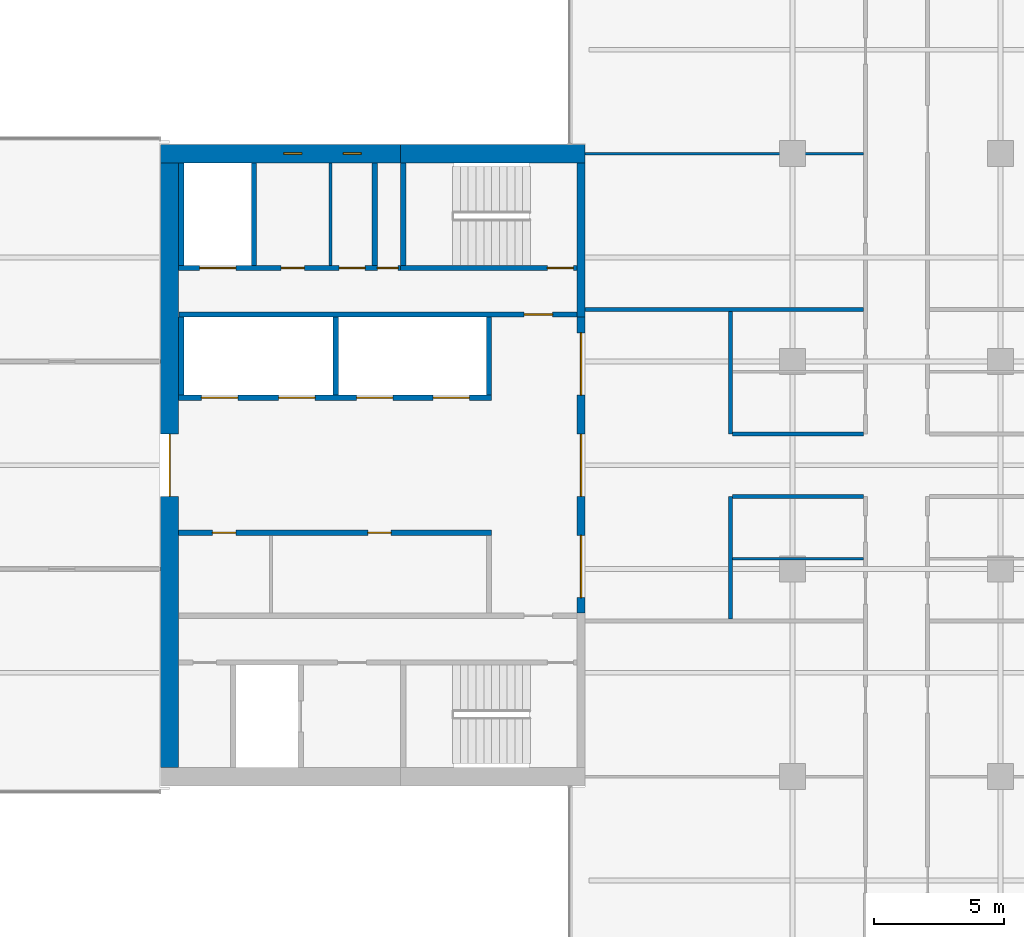
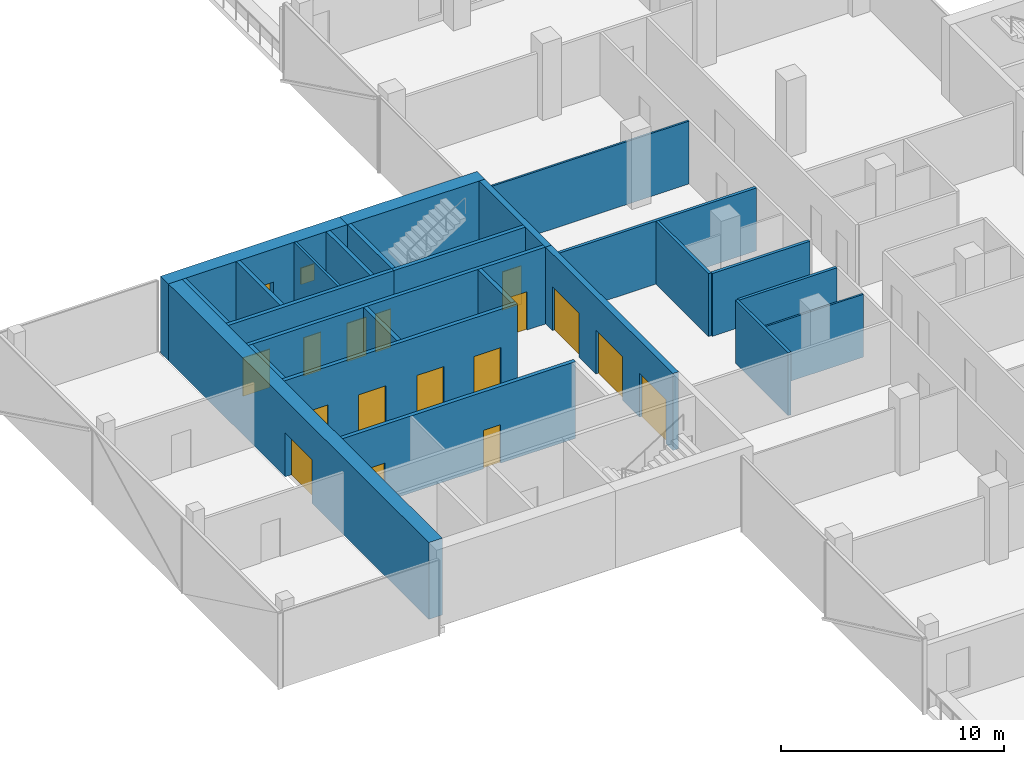
# One storey, part 17 of 24: 25 walls, 16 doors, 2 windows, 18 openings.
"""IFC4 building model written with IfcOpenShell, lengths in metres."""

from ifc_helpers import new_model, si_unit, direction, frame, frame_2d, origin, place, context, subcontext, project, spatial, rectangle, extrude, material, layer, layer_set, constituent, constituent_set, type_object, element, fill, save


model = new_model("IFC4")

# Units and contexts
model_context = context("Model", 3, precision=1e-05, world=origin(), true_north=direction((0.0, 1.0)))
body_context = subcontext(model_context, "Body", "Model", "MODEL_VIEW")
ifc_project = project(units=[si_unit("LENGTHUNIT", "METRE"), si_unit("AREAUNIT", "SQUARE_METRE"), si_unit("VOLUMEUNIT", "CUBIC_METRE"), si_unit("PLANEANGLEUNIT", "RADIAN"), si_unit("MASSUNIT", "GRAM", prefix="KILO")], contexts=[model_context])

# Site, building, storey
site_placement = place(None, origin())
site = spatial("IfcSite", under=ifc_project, at=site_placement, CompositionType="ELEMENT")
building_placement = place(site_placement, origin())
building = spatial("IfcBuilding", under=site, at=building_placement, Name="Crosswind Convention Tower", CompositionType="ELEMENT")
storey_placement = place(building_placement, frame((0.0, 0.0, 112.699951171875)))
storey = spatial("IfcBuildingStorey", under=building, at=storey_placement, Name="L22", CompositionType="ELEMENT", Elevation=112.699951171875)

# Wall
ifc_material_1 = material(Name="Concrete blockwork", Category="masonry")
ifc_layer_1 = layer(ifc_material_1, 0.199951171875)
ifc_layer_set_1 = layer_set([ifc_layer_1], Name="Blockwork partition wall 200")
wall_type_1 = type_object("IfcWallType", Name="Blockwork partition wall 200", PredefinedType="PARTITIONING", material=ifc_layer_set_1)
wall_1_placement = place(storey_placement, frame((104.89990234375, 111.64990234375, 0.0), z_axis=(0.0, 0.0, 1.0), x_axis=(0.0, -1.0, 0.0)))
element("IfcWall", 1, at=wall_1_placement, inside=storey, type_object=wall_type_1, Name="Wall MRSE W L22", PredefinedType="PARTITIONING", context=body_context, shape_type="SweptSolid", body=[
    extrude(rectangle(XDim=3.949951171875, YDim=0.199951171875, at=frame_2d((1.97509765625, 0.0))), origin(), (0.0, 0.0, 1.0), 4.199951171875),
])

# Wall, opening, door
ifc_material_2 = material(Name="Concrete C60/75", Category="concrete")
ifc_layer_2 = layer(ifc_material_2, 0.699951171875)
ifc_layer_set_2 = layer_set([ifc_layer_2], Name="Concrete C60/75")
wall_type_2 = type_object("IfcWallType", Name="Concrete core wall 700", PredefinedType="SHEAR", material=ifc_layer_set_2)
wall_2_placement = place(storey_placement, frame((97.0, 111.64990234375, 0.0), z_axis=(0.0, 0.0, 1.0), x_axis=(0.0, -1.0, 0.0)))
wall_2 = element("IfcWall", 2, at=wall_2_placement, inside=storey, type_object=wall_type_2, Name="Wall O W L22", PredefinedType="SHEAR", context=body_context, shape_type="SweptSolid", body=[
    extrude(rectangle(XDim=23.2998046875, YDim=0.699951171875, at=frame_2d((11.64990234375, 0.0))), origin(), (0.0, 0.0, 1.0), 4.199951171875),
])
opening_1_placement = place(wall_2_placement, frame((10.449951171875, 0.0, 0.0)))
opening_1 = element("IfcOpeningElement", 3, at=opening_1_placement, cuts=wall_2, Name="Opening D100", PredefinedType="OPENING", context=body_context, shape_type="SweptSolid", body=[
    extrude(rectangle(XDim=2.39990234375, YDim=2.39990234375, at=frame_2d((1.199951171875, 1.199951171875))), frame((0.0, 0.35986328125, 0.0), z_axis=(0.0, -1.0, 0.0), x_axis=(1.0, 0.0, 0.0)), (0.0, 0.0, 1.0), 0.719970703125),
])
ifc_material_3 = material(Name="Steel fire door with glazed vision panels", Category="steel")
door_type_1 = type_object("IfcDoorType", Name="Fire-rated double door 2400x2400", OperationType="DOUBLE_DOOR_SINGLE_SWING", PredefinedType="DOOR", material=ifc_material_3)
door_1_placement = place(opening_1_placement, origin())
door_1 = element("IfcDoor", 4, at=door_1_placement, inside=storey, type_object=door_type_1, Name="Lobby outer door L22", ObjectType="D100", OperationType="DOUBLE_DOOR_SINGLE_SWING", OverallHeight=2.39990234375, OverallWidth=2.39990234375, PredefinedType="DOOR", context=body_context, shape_type="SweptSolid", body=[
    extrude(rectangle(XDim=2.39990234375, YDim=2.39990234375, at=frame_2d((1.199951171875, 1.199951171875))), frame((0.0, 0.02490234375, 0.0), z_axis=(0.0, -1.0, 0.0), x_axis=(1.0, 0.0, 0.0)), (0.0, 0.0, 1.0), 0.050048828125),
])
fill(opening_1, door_1)

# Wall, openings, doors
ifc_material_4 = material(Name="Concrete C50/60", Category="concrete")
ifc_layer_3 = layer(ifc_material_4, 0.300048828125)
ifc_layer_set_3 = layer_set([ifc_layer_3], Name="Concrete C50/60")
wall_type_3 = type_object("IfcWallType", Name="Concrete inner core wall 300", PredefinedType="SHEAR", material=ifc_layer_set_3)
wall_3_placement = place(storey_placement, frame((112.85009765625, 105.699951171875, 0.0), z_axis=(0.0, 0.0, 1.0), x_axis=(0.0, -1.0, 0.0)))
wall_3 = element("IfcWall", 5, at=wall_3_placement, inside=storey, type_object=wall_type_3, Name="Wall SCR W L22", PredefinedType="SHEAR", context=body_context, shape_type="SweptSolid", body=[
    extrude(rectangle(XDim=11.39990234375, YDim=0.300048828125, at=frame_2d((5.699951171875, 0.0))), origin(), (0.0, 0.0, 1.0), 4.199951171875),
])
opening_2_placement = place(wall_3_placement, frame((0.60009765625, 0.0, 0.0)))
opening_2 = element("IfcOpeningElement", 6, at=opening_2_placement, cuts=wall_3, Name="Opening D100", PredefinedType="OPENING", context=body_context, shape_type="SweptSolid", body=[
    extrude(rectangle(XDim=2.39990234375, YDim=2.39990234375, at=frame_2d((1.199951171875, 1.199951171875))), frame((0.0, 0.159912109375, 0.0), z_axis=(0.0, -1.0, 0.0), x_axis=(1.0, 0.0, 0.0)), (0.0, 0.0, 1.0), 0.320068359375),
])
opening_3_placement = place(wall_3_placement, frame((4.5, 0.0, 0.0)))
opening_3 = element("IfcOpeningElement", 7, at=opening_3_placement, cuts=wall_3, Name="Opening D100", PredefinedType="OPENING", context=body_context, shape_type="SweptSolid", body=[
    extrude(rectangle(XDim=2.39990234375, YDim=2.39990234375, at=frame_2d((1.199951171875, 1.199951171875))), frame((0.0, 0.159912109375, 0.0), z_axis=(0.0, -1.0, 0.0), x_axis=(1.0, 0.0, 0.0)), (0.0, 0.0, 1.0), 0.320068359375),
])
opening_4_placement = place(wall_3_placement, frame((8.39990234375, 0.0, 0.0)))
opening_4 = element("IfcOpeningElement", 8, at=opening_4_placement, cuts=wall_3, Name="Opening D100", PredefinedType="OPENING", context=body_context, shape_type="SweptSolid", body=[
    extrude(rectangle(XDim=2.39990234375, YDim=2.39990234375, at=frame_2d((1.199951171875, 1.199951171875))), frame((0.0, 0.159912109375, 0.0), z_axis=(0.0, -1.0, 0.0), x_axis=(1.0, 0.0, 0.0)), (0.0, 0.0, 1.0), 0.320068359375),
])
door_2_placement = place(opening_2_placement, origin())
door_2 = element("IfcDoor", 9, at=door_2_placement, inside=storey, type_object=door_type_1, Name="Lobby door 1 L22", ObjectType="D100", OperationType="DOUBLE_DOOR_SINGLE_SWING", OverallHeight=2.39990234375, OverallWidth=2.39990234375, PredefinedType="DOOR", context=body_context, shape_type="SweptSolid", body=[
    extrude(rectangle(XDim=2.39990234375, YDim=2.39990234375, at=frame_2d((1.199951171875, 1.199951171875))), frame((0.0, 0.02490234375, 0.0), z_axis=(0.0, -1.0, 0.0), x_axis=(1.0, 0.0, 0.0)), (0.0, 0.0, 1.0), 0.050048828125),
])
fill(opening_2, door_2)
door_3_placement = place(opening_3_placement, origin())
door_3 = element("IfcDoor", 10, at=door_3_placement, inside=storey, type_object=door_type_1, Name="Lobby door 2 L22", ObjectType="D100", OperationType="DOUBLE_DOOR_SINGLE_SWING", OverallHeight=2.39990234375, OverallWidth=2.39990234375, PredefinedType="DOOR", context=body_context, shape_type="SweptSolid", body=[
    extrude(rectangle(XDim=2.39990234375, YDim=2.39990234375, at=frame_2d((1.199951171875, 1.199951171875))), frame((0.0, 0.02490234375, 0.0), z_axis=(0.0, -1.0, 0.0), x_axis=(1.0, 0.0, 0.0)), (0.0, 0.0, 1.0), 0.050048828125),
])
fill(opening_3, door_3)
door_4_placement = place(opening_4_placement, origin())
door_4 = element("IfcDoor", 11, at=door_4_placement, inside=storey, type_object=door_type_1, Name="Lobby door 3 L22", ObjectType="D100", OperationType="DOUBLE_DOOR_SINGLE_SWING", OverallHeight=2.39990234375, OverallWidth=2.39990234375, PredefinedType="DOOR", context=body_context, shape_type="SweptSolid", body=[
    extrude(rectangle(XDim=2.39990234375, YDim=2.39990234375, at=frame_2d((1.199951171875, 1.199951171875))), frame((0.0, 0.02490234375, 0.0), z_axis=(0.0, -1.0, 0.0), x_axis=(1.0, 0.0, 0.0)), (0.0, 0.0, 1.0), 0.050048828125),
])
fill(opening_4, door_4)

# Wall
wall_4_placement = place(storey_placement, frame((112.85009765625, 111.64990234375, 0.0), z_axis=(0.0, 0.0, 1.0), x_axis=(0.0, -1.0, 0.0)))
element("IfcWall", 12, at=wall_4_placement, inside=storey, type_object=wall_type_3, Name="Wall EM W L22", PredefinedType="SHEAR", context=body_context, shape_type="SweptSolid", body=[
    extrude(rectangle(XDim=5.949951171875, YDim=0.300048828125, at=frame_2d((2.97509765625, 0.0))), origin(), (0.0, 0.0, 1.0), 4.199951171875),
])

# Wall, openings, doors
ifc_layer_4 = layer(ifc_material_4, 0.199951171875)
ifc_layer_set_4 = layer_set([ifc_layer_4], Name="Concrete C50/60")
wall_type_4 = type_object("IfcWallType", Name="Concrete shaft and stair wall 200", PredefinedType="SHEAR", material=ifc_layer_set_4)
wall_5_placement = place(storey_placement, frame((109.39990234375, 97.39990234375, 0.0), z_axis=(0.0, 0.0, 1.0), x_axis=(-1.0, 0.0, 0.0)))
wall_5 = element("IfcWall", 13, at=wall_5_placement, inside=storey, type_object=wall_type_4, Name="Wall RPFRONT W L22", PredefinedType="SHEAR", context=body_context, shape_type="SweptSolid", body=[
    extrude(rectangle(XDim=12.0498046875, YDim=0.199951171875, at=frame_2d((6.02490234375, 0.0))), origin(), (0.0, 0.0, 1.0), 4.199951171875),
])
opening_5_placement = place(wall_5_placement, frame((3.8662109375, 0.0, 0.0)))
opening_5 = element("IfcOpeningElement", 14, at=opening_5_placement, cuts=wall_5, Name="Opening D106", PredefinedType="OPENING", context=body_context, shape_type="SweptSolid", body=[
    extrude(rectangle(XDim=0.89990234375, YDim=2.10009765625, at=frame_2d((0.449951171875, 1.050048828125))), frame((0.0, 0.10986328125, 0.0), z_axis=(0.0, -1.0, 0.0), x_axis=(1.0, 0.0, 0.0)), (0.0, 0.0, 1.0), 0.219970703125),
])
opening_6_placement = place(wall_5_placement, frame((9.853759765625, 0.0, 0.0)))
opening_6 = element("IfcOpeningElement", 15, at=opening_6_placement, cuts=wall_5, Name="Opening D106", PredefinedType="OPENING", context=body_context, shape_type="SweptSolid", body=[
    extrude(rectangle(XDim=0.89990234375, YDim=2.10009765625, at=frame_2d((0.449951171875, 1.050048828125))), frame((0.0, 0.10986328125, 0.0), z_axis=(0.0, -1.0, 0.0), x_axis=(1.0, 0.0, 0.0)), (0.0, 0.0, 1.0), 0.219970703125),
])
ifc_material_5 = material(Name="Timber door", Category="wood")
door_type_2 = type_object("IfcDoorType", Name="Single leaf door 900x2100", OperationType="NOTDEFINED", PredefinedType="DOOR", material=ifc_material_5)
door_5_placement = place(opening_5_placement, origin())
door_5 = element("IfcDoor", 16, at=door_5_placement, inside=storey, type_object=door_type_2, Name="Door to meeting room L22", ObjectType="D106", OperationType="SINGLE_SWING_RIGHT", OverallHeight=2.10009765625, OverallWidth=0.89990234375, PredefinedType="DOOR", context=body_context, shape_type="SweptSolid", body=[
    extrude(rectangle(XDim=0.89990234375, YDim=2.10009765625, at=frame_2d((0.449951171875, 1.050048828125))), frame((0.0, 0.02490234375, 0.0), z_axis=(0.0, -1.0, 0.0), x_axis=(1.0, 0.0, 0.0)), (0.0, 0.0, 1.0), 0.050048828125),
])
fill(opening_5, door_5)
door_6_placement = place(opening_6_placement, origin())
door_6 = element("IfcDoor", 17, at=door_6_placement, inside=storey, type_object=door_type_2, Name="Door to pantry L22", ObjectType="D106", OperationType="SINGLE_SWING_RIGHT", OverallHeight=2.10009765625, OverallWidth=0.89990234375, PredefinedType="DOOR", context=body_context, shape_type="SweptSolid", body=[
    extrude(rectangle(XDim=0.89990234375, YDim=2.10009765625, at=frame_2d((0.449951171875, 1.050048828125))), frame((0.0, 0.02490234375, 0.0), z_axis=(0.0, -1.0, 0.0), x_axis=(1.0, 0.0, 0.0)), (0.0, 0.0, 1.0), 0.050048828125),
])
fill(opening_6, door_6)

# Walls
for number, where, z_axis, x_axis, name in (
    (18, (109.300048828125, 105.699951171875, 0.0), (0.0, 0.0, 1.0), (0.0, -1.0, 0.0), "Wall RMEND W L22"),
    (19, (103.39990234375, 105.699951171875, 0.0), (0.0, 0.0, 1.0), (0.0, -1.0, 0.0), "Wall RMSEP W L22"),
    (20, (97.449951171875, 105.699951171875, 0.0), (0.0, 0.0, 1.0), (0.0, -1.0, 0.0), "Wall RMEAST W L22"),
):
    element("IfcWall", number, at=place(storey_placement, frame(where, z_axis=z_axis, x_axis=x_axis)), inside=storey, type_object=wall_type_4, Name=name, PredefinedType="SHEAR", context=body_context, shape_type="SweptSolid", body=[
        extrude(rectangle(XDim=3.0, YDim=0.199951171875, at=frame_2d((1.5, 0.0))), origin(), (0.0, 0.0, 1.0), 4.199951171875),
    ])

# Wall, openings, doors
wall_6_placement = place(storey_placement, frame((109.39990234375, 102.60009765625, 0.0), z_axis=(0.0, 0.0, 1.0), x_axis=(-1.0, 0.0, 0.0)))
wall_6 = element("IfcWall", 21, at=wall_6_placement, inside=storey, type_object=wall_type_4, Name="Wall RMFRONT W L22", PredefinedType="SHEAR", context=body_context, shape_type="SweptSolid", body=[
    extrude(rectangle(XDim=12.0498046875, YDim=0.199951171875, at=frame_2d((6.02490234375, 0.0))), origin(), (0.0, 0.0, 1.0), 4.199951171875),
])
opening_7_placement = place(wall_6_placement, frame((0.85009765625, 0.0, 0.0)))
opening_7 = element("IfcOpeningElement", 22, at=opening_7_placement, cuts=wall_6, Name="Opening LD2", PredefinedType="OPENING", context=body_context, shape_type="SweptSolid", body=[
    extrude(rectangle(XDim=1.39990234375, YDim=2.10009765625, at=frame_2d((0.699951171875, 1.050048828125))), frame((0.0, 0.10986328125, 0.0), z_axis=(0.0, -1.0, 0.0), x_axis=(1.0, 0.0, 0.0)), (0.0, 0.0, 1.0), 0.219970703125),
])
opening_8_placement = place(wall_6_placement, frame((3.800048828125, 0.0, 0.0)))
opening_8 = element("IfcOpeningElement", 23, at=opening_8_placement, cuts=wall_6, Name="Opening LD2", PredefinedType="OPENING", context=body_context, shape_type="SweptSolid", body=[
    extrude(rectangle(XDim=1.39990234375, YDim=2.10009765625, at=frame_2d((0.699951171875, 1.050048828125))), frame((0.0, 0.10986328125, 0.0), z_axis=(0.0, -1.0, 0.0), x_axis=(1.0, 0.0, 0.0)), (0.0, 0.0, 1.0), 0.219970703125),
])
opening_9_placement = place(wall_6_placement, frame((6.800048828125, 0.0, 0.0)))
opening_9 = element("IfcOpeningElement", 24, at=opening_9_placement, cuts=wall_6, Name="Opening LD2", PredefinedType="OPENING", context=body_context, shape_type="SweptSolid", body=[
    extrude(rectangle(XDim=1.39990234375, YDim=2.10009765625, at=frame_2d((0.699951171875, 1.050048828125))), frame((0.0, 0.10986328125, 0.0), z_axis=(0.0, -1.0, 0.0), x_axis=(1.0, 0.0, 0.0)), (0.0, 0.0, 1.0), 0.219970703125),
])
opening_10_placement = place(wall_6_placement, frame((9.77490234375, 0.0, 0.0)))
opening_10 = element("IfcOpeningElement", 25, at=opening_10_placement, cuts=wall_6, Name="Opening LD2", PredefinedType="OPENING", context=body_context, shape_type="SweptSolid", body=[
    extrude(rectangle(XDim=1.39990234375, YDim=2.10009765625, at=frame_2d((0.699951171875, 1.050048828125))), frame((0.0, 0.10986328125, 0.0), z_axis=(0.0, -1.0, 0.0), x_axis=(1.0, 0.0, 0.0)), (0.0, 0.0, 1.0), 0.219970703125),
])
ifc_material_6 = material(Name="Stainless steel", Category="steel")
door_type_3 = type_object("IfcDoorType", Name="Lift landing door 1400x2100", OperationType="DOUBLE_DOOR_SLIDING", PredefinedType="DOOR", material=ifc_material_6)
door_7_placement = place(opening_7_placement, origin())
door_7 = element("IfcDoor", 26, at=door_7_placement, inside=storey, type_object=door_type_3, Name="Landing door A5 L22", ObjectType="LD2", OperationType="DOUBLE_DOOR_SLIDING", OverallHeight=2.10009765625, OverallWidth=1.39990234375, PredefinedType="DOOR", context=body_context, shape_type="SweptSolid", body=[
    extrude(rectangle(XDim=1.39990234375, YDim=2.10009765625, at=frame_2d((0.699951171875, 1.050048828125))), frame((0.0, 0.02490234375, 0.0), z_axis=(0.0, -1.0, 0.0), x_axis=(1.0, 0.0, 0.0)), (0.0, 0.0, 1.0), 0.050048828125),
])
fill(opening_7, door_7)
door_8_placement = place(opening_8_placement, origin())
door_8 = element("IfcDoor", 27, at=door_8_placement, inside=storey, type_object=door_type_3, Name="Landing door A6 L22", ObjectType="LD2", OperationType="DOUBLE_DOOR_SLIDING", OverallHeight=2.10009765625, OverallWidth=1.39990234375, PredefinedType="DOOR", context=body_context, shape_type="SweptSolid", body=[
    extrude(rectangle(XDim=1.39990234375, YDim=2.10009765625, at=frame_2d((0.699951171875, 1.050048828125))), frame((0.0, 0.02490234375, 0.0), z_axis=(0.0, -1.0, 0.0), x_axis=(1.0, 0.0, 0.0)), (0.0, 0.0, 1.0), 0.050048828125),
])
fill(opening_8, door_8)
door_9_placement = place(opening_9_placement, origin())
door_9 = element("IfcDoor", 28, at=door_9_placement, inside=storey, type_object=door_type_3, Name="Landing door A7 L22", ObjectType="LD2", OperationType="DOUBLE_DOOR_SLIDING", OverallHeight=2.10009765625, OverallWidth=1.39990234375, PredefinedType="DOOR", context=body_context, shape_type="SweptSolid", body=[
    extrude(rectangle(XDim=1.39990234375, YDim=2.10009765625, at=frame_2d((0.699951171875, 1.050048828125))), frame((0.0, 0.02490234375, 0.0), z_axis=(0.0, -1.0, 0.0), x_axis=(1.0, 0.0, 0.0)), (0.0, 0.0, 1.0), 0.050048828125),
])
fill(opening_9, door_9)
door_10_placement = place(opening_10_placement, origin())
door_10 = element("IfcDoor", 29, at=door_10_placement, inside=storey, type_object=door_type_3, Name="Landing door A8 L22", ObjectType="LD2", OperationType="DOUBLE_DOOR_SLIDING", OverallHeight=2.10009765625, OverallWidth=1.39990234375, PredefinedType="DOOR", context=body_context, shape_type="SweptSolid", body=[
    extrude(rectangle(XDim=1.39990234375, YDim=2.10009765625, at=frame_2d((0.699951171875, 1.050048828125))), frame((0.0, 0.02490234375, 0.0), z_axis=(0.0, -1.0, 0.0), x_axis=(1.0, 0.0, 0.0)), (0.0, 0.0, 1.0), 0.050048828125),
])
fill(opening_10, door_10)

# Wall, opening, door
wall_7_placement = place(storey_placement, frame((112.699951171875, 105.800048828125, 0.0), z_axis=(0.0, 0.0, 1.0), x_axis=(-1.0, 0.0, 0.0)))
wall_7 = element("IfcWall", 30, at=wall_7_placement, inside=storey, type_object=wall_type_4, Name="Wall HM W L22", PredefinedType="SHEAR", context=body_context, shape_type="SweptSolid", body=[
    extrude(rectangle(XDim=15.349853515625, YDim=0.199951171875, at=frame_2d((7.6748046875, 0.0))), origin(), (0.0, 0.0, 1.0), 4.199951171875),
])
opening_11_placement = place(wall_7_placement, frame((0.949951171875, 0.0, 0.0)))
opening_11 = element("IfcOpeningElement", 31, at=opening_11_placement, cuts=wall_7, Name="Opening D104", PredefinedType="OPENING", context=body_context, shape_type="SweptSolid", body=[
    extrude(rectangle(XDim=1.10009765625, YDim=2.10009765625, at=frame_2d((0.550048828125, 1.050048828125))), frame((0.0, 0.10986328125, 0.0), z_axis=(0.0, -1.0, 0.0), x_axis=(1.0, 0.0, 0.0)), (0.0, 0.0, 1.0), 0.219970703125),
])
ifc_material_7 = material(Name="Steel fire door", Category="steel")
door_type_4 = type_object("IfcDoorType", Name="Fire-rated single door 1100x2100", OperationType="NOTDEFINED", PredefinedType="DOOR", material=ifc_material_7)
door_11_placement = place(opening_11_placement, origin())
door_11 = element("IfcDoor", 32, at=door_11_placement, inside=storey, type_object=door_type_4, Name="Corridor door L22", ObjectType="D104", OperationType="SINGLE_SWING_LEFT", OverallHeight=2.10009765625, OverallWidth=1.10009765625, PredefinedType="DOOR", context=body_context, shape_type="SweptSolid", body=[
    extrude(rectangle(XDim=1.10009765625, YDim=2.10009765625, at=frame_2d((0.550048828125, 1.050048828125))), frame((0.0, 0.02490234375, 0.0), z_axis=(0.0, -1.0, 0.0), x_axis=(1.0, 0.0, 0.0)), (0.0, 0.0, 1.0), 0.050048828125),
])
fill(opening_11, door_11)

# Walls
for number, where, z_axis, x_axis, name in (
    (33, (106.0, 111.64990234375, 0.0), (0.0, 0.0, 1.0), (0.0, -1.0, 0.0), "Wall MSE W L22"),
    (34, (100.25, 111.64990234375, 0.0), (0.0, 0.0, 1.0), (0.0, -1.0, 0.0), "Wall MFSW W L22"),
    (35, (97.449951171875, 111.64990234375, 0.0), (0.0, 0.0, 1.0), (0.0, -1.0, 0.0), "Wall MFSE W L22"),
):
    element("IfcWall", number, at=place(storey_placement, frame(where, z_axis=z_axis, x_axis=x_axis)), inside=storey, type_object=wall_type_4, Name=name, PredefinedType="SHEAR", context=body_context, shape_type="SweptSolid", body=[
        extrude(rectangle(XDim=3.949951171875, YDim=0.199951171875, at=frame_2d((1.97509765625, 0.0))), origin(), (0.0, 0.0, 1.0), 4.199951171875),
    ])

# Wall, opening, door
wall_8_placement = place(storey_placement, frame((112.699951171875, 107.60009765625, 0.0), z_axis=(0.0, 0.0, 1.0), x_axis=(-1.0, 0.0, 0.0)))
wall_8 = element("IfcWall", 36, at=wall_8_placement, inside=storey, type_object=wall_type_4, Name="Wall MCW W L22", PredefinedType="SHEAR", context=body_context, shape_type="SweptSolid", body=[
    extrude(rectangle(XDim=6.800048828125, YDim=0.199951171875, at=frame_2d((3.39990234375, 0.0))), origin(), (0.0, 0.0, 1.0), 4.199951171875),
])
opening_12_placement = place(wall_8_placement, frame((0.14990234375, 0.0, 0.0)))
opening_12 = element("IfcOpeningElement", 37, at=opening_12_placement, cuts=wall_8, Name="Opening D103", PredefinedType="OPENING", context=body_context, shape_type="SweptSolid", body=[
    extrude(rectangle(XDim=1.0, YDim=2.10009765625, at=frame_2d((0.5, 1.050048828125))), frame((0.0, 0.10986328125, 0.0), z_axis=(0.0, -1.0, 0.0), x_axis=(1.0, 0.0, 0.0)), (0.0, 0.0, 1.0), 0.219970703125),
])
door_type_5 = type_object("IfcDoorType", Name="Fire-rated single door 1000x2100", OperationType="NOTDEFINED", PredefinedType="DOOR", material=ifc_material_7)
door_12_placement = place(opening_12_placement, frame((1.0, 0.0, 0.0), z_axis=(0.0, 0.0, 1.0), x_axis=(-1.0, 0.0, 0.0)))
door_12 = element("IfcDoor", 38, at=door_12_placement, inside=storey, type_object=door_type_5, Name="Stair ST4 door L22", ObjectType="D103", OperationType="SINGLE_SWING_RIGHT", OverallHeight=2.10009765625, OverallWidth=1.0, PredefinedType="DOOR", context=body_context, shape_type="SweptSolid", body=[
    extrude(rectangle(XDim=1.0, YDim=2.10009765625, at=frame_2d((0.5, 1.050048828125))), frame((0.0, 0.02490234375, 0.0), z_axis=(0.0, -1.0, 0.0), x_axis=(1.0, 0.0, 0.0)), (0.0, 0.0, 1.0), 0.050048828125),
])
fill(opening_12, door_12)

# Wall, openings, doors
wall_9_placement = place(storey_placement, frame((105.89990234375, 107.60009765625, 0.0), z_axis=(0.0, 0.0, 1.0), x_axis=(-1.0, 0.0, 0.0)))
wall_9 = element("IfcWall", 39, at=wall_9_placement, inside=storey, type_object=wall_type_4, Name="Wall MCX W L22", PredefinedType="SHEAR", context=body_context, shape_type="SweptSolid", body=[
    extrude(rectangle(XDim=8.5498046875, YDim=0.199951171875, at=frame_2d((4.27490234375, 0.0))), origin(), (0.0, 0.0, 1.0), 4.199951171875),
])
opening_13_placement = place(wall_9_placement, frame((0.10009765625, 0.0, 0.0)))
opening_13 = element("IfcOpeningElement", 40, at=opening_13_placement, cuts=wall_9, Name="Opening D105", PredefinedType="OPENING", context=body_context, shape_type="SweptSolid", body=[
    extrude(rectangle(XDim=0.800048828125, YDim=2.10009765625, at=frame_2d((0.39990234375, 1.050048828125))), frame((0.0, 0.10986328125, 0.0), z_axis=(0.0, -1.0, 0.0), x_axis=(1.0, 0.0, 0.0)), (0.0, 0.0, 1.0), 0.219970703125),
])
opening_14_placement = place(wall_9_placement, frame((1.36962890625, 0.0, 0.0)))
opening_14 = element("IfcOpeningElement", 41, at=opening_14_placement, cuts=wall_9, Name="Opening D103", PredefinedType="OPENING", context=body_context, shape_type="SweptSolid", body=[
    extrude(rectangle(XDim=1.0, YDim=2.10009765625, at=frame_2d((0.5, 1.050048828125))), frame((0.0, 0.10986328125, 0.0), z_axis=(0.0, -1.0, 0.0), x_axis=(1.0, 0.0, 0.0)), (0.0, 0.0, 1.0), 0.219970703125),
])
opening_15_placement = place(wall_9_placement, frame((3.707275390625, 0.0, 0.0)))
opening_15 = element("IfcOpeningElement", 42, at=opening_15_placement, cuts=wall_9, Name="Opening D106", PredefinedType="OPENING", context=body_context, shape_type="SweptSolid", body=[
    extrude(rectangle(XDim=0.89990234375, YDim=2.10009765625, at=frame_2d((0.449951171875, 1.050048828125))), frame((0.0, 0.10986328125, 0.0), z_axis=(0.0, -1.0, 0.0), x_axis=(1.0, 0.0, 0.0)), (0.0, 0.0, 1.0), 0.219970703125),
])
opening_16_placement = place(wall_9_placement, frame((6.35009765625, 0.0, 0.0)))
opening_16 = element("IfcOpeningElement", 43, at=opening_16_placement, cuts=wall_9, Name="Opening LD2", PredefinedType="OPENING", context=body_context, shape_type="SweptSolid", body=[
    extrude(rectangle(XDim=1.39990234375, YDim=2.10009765625, at=frame_2d((0.699951171875, 1.050048828125))), frame((0.0, 0.10986328125, 0.0), z_axis=(0.0, -1.0, 0.0), x_axis=(1.0, 0.0, 0.0)), (0.0, 0.0, 1.0), 0.219970703125),
])
door_13_placement = place(opening_14_placement, frame((1.0, 0.0, 0.0), z_axis=(0.0, 0.0, 1.0), x_axis=(-1.0, 0.0, 0.0)))
door_13 = element("IfcDoor", 44, at=door_13_placement, inside=storey, type_object=door_type_5, Name="Door to accessible wc L22", ObjectType="D103", OperationType="SINGLE_SWING_LEFT", OverallHeight=2.10009765625, OverallWidth=1.0, PredefinedType="DOOR", context=body_context, shape_type="SweptSolid", body=[
    extrude(rectangle(XDim=1.0, YDim=2.10009765625, at=frame_2d((0.5, 1.050048828125))), frame((0.0, 0.02490234375, 0.0), z_axis=(0.0, -1.0, 0.0), x_axis=(1.0, 0.0, 0.0)), (0.0, 0.0, 1.0), 0.050048828125),
])
fill(opening_14, door_13)
door_14_placement = place(opening_16_placement, origin())
door_14 = element("IfcDoor", 45, at=door_14_placement, inside=storey, type_object=door_type_3, Name="Landing door SV2 L22", ObjectType="LD2", OperationType="DOUBLE_DOOR_SLIDING", OverallHeight=2.10009765625, OverallWidth=1.39990234375, PredefinedType="DOOR", context=body_context, shape_type="SweptSolid", body=[
    extrude(rectangle(XDim=1.39990234375, YDim=2.10009765625, at=frame_2d((0.699951171875, 1.050048828125))), frame((0.0, 0.02490234375, 0.0), z_axis=(0.0, -1.0, 0.0), x_axis=(1.0, 0.0, 0.0)), (0.0, 0.0, 1.0), 0.050048828125),
])
fill(opening_16, door_14)
door_type_6 = type_object("IfcDoorType", Name="Riser access door 800x2100", OperationType="NOTDEFINED", PredefinedType="DOOR", material=ifc_material_7)
door_15_placement = place(opening_13_placement, frame((0.800048828125, 0.0, 0.0), z_axis=(0.0, 0.0, 1.0), x_axis=(-1.0, 0.0, 0.0)))
door_15 = element("IfcDoor", 46, at=door_15_placement, inside=storey, type_object=door_type_6, Name="Riser door L22", ObjectType="D105", OperationType="SINGLE_SWING_LEFT", OverallHeight=2.10009765625, OverallWidth=0.800048828125, PredefinedType="DOOR", context=body_context, shape_type="SweptSolid", body=[
    extrude(rectangle(XDim=0.800048828125, YDim=2.10009765625, at=frame_2d((0.39990234375, 1.050048828125))), frame((0.0, 0.02490234375, 0.0), z_axis=(0.0, -1.0, 0.0), x_axis=(1.0, 0.0, 0.0)), (0.0, 0.0, 1.0), 0.050048828125),
])
fill(opening_13, door_15)
door_16_placement = place(opening_15_placement, frame((0.89990234375, 0.0, 0.0), z_axis=(0.0, 0.0, 1.0), x_axis=(-1.0, 0.0, 0.0)))
door_16 = element("IfcDoor", 47, at=door_16_placement, inside=storey, type_object=door_type_2, Name="Door to wc L22", ObjectType="D106", OperationType="SINGLE_SWING_LEFT", OverallHeight=2.10009765625, OverallWidth=0.89990234375, PredefinedType="DOOR", context=body_context, shape_type="SweptSolid", body=[
    extrude(rectangle(XDim=0.89990234375, YDim=2.10009765625, at=frame_2d((0.449951171875, 1.050048828125))), frame((0.0, 0.02490234375, 0.0), z_axis=(0.0, -1.0, 0.0), x_axis=(1.0, 0.0, 0.0)), (0.0, 0.0, 1.0), 0.050048828125),
])
fill(opening_15, door_16)

# Walls
ifc_material_8 = material(Name="Gypsum plasterboard partition", Category="gypsum")
ifc_layer_5 = layer(ifc_material_8, 0.125)
ifc_layer_set_5 = layer_set([ifc_layer_5], Name="Drywall partition wall 125")
wall_type_5 = type_object("IfcWallType", Name="Drywall partition wall 125", PredefinedType="PARTITIONING", material=ifc_layer_set_5)
wall_10_placement = place(storey_placement, frame((103.197998046875, 111.64990234375, 0.0), z_axis=(0.0, 0.0, 1.0), x_axis=(0.0, -1.0, 0.0)))
element("IfcWall", 48, at=wall_10_placement, inside=storey, type_object=wall_type_5, Name="Wall MWP1 W L22", PredefinedType="PARTITIONING", context=body_context, shape_type="SweptSolid", body=[
    extrude(rectangle(XDim=3.949951171875, YDim=0.125, at=frame_2d((1.97509765625, 0.0))), origin(), (0.0, 0.0, 1.0), 4.199951171875),
])
ifc_material_9 = material(Name="Plasterboard partition", Category="gypsum")
ifc_layer_6 = layer(ifc_material_9, 0.10009765625)
ifc_layer_set_6 = layer_set([ifc_layer_6], Name="PARTITION 100 METAL STUD")
wall_type_6 = type_object("IfcWallType", Name="PARTITION 100 METAL STUD", PredefinedType="PARTITIONING", material=ifc_layer_set_6)
wall_11_placement = place(storey_placement, frame((118.675048828125, 96.39990234375, 0.0), z_axis=(0.0, 0.0, 1.0), x_axis=(1.0, 0.0, 0.0)))
element("IfcWall", 49, at=wall_11_placement, inside=storey, type_object=wall_type_6, Name="Partition wall WT40", PredefinedType="PARTITIONING", context=body_context, shape_type="SweptSolid", body=[
    extrude(rectangle(XDim=5.050048828125, YDim=0.10009765625, at=frame_2d((2.52490234375, 0.0))), origin(), (0.0, 0.0, 1.0), 3.4365234375),
])
wall_12_placement = place(storey_placement, frame((113.0, 112.0, 0.0), z_axis=(0.0, 0.0, 1.0), x_axis=(1.0, 0.0, 0.0)))
element("IfcWall", 50, at=wall_12_placement, inside=storey, type_object=wall_type_6, Name="Partition wall WT40", PredefinedType="PARTITIONING", context=body_context, shape_type="SweptSolid", body=[
    extrude(rectangle(XDim=10.72509765625, YDim=0.10009765625, at=frame_2d((5.362548828125, 0.0))), origin(), (0.0, 0.0, 1.0), 3.4365234375),
])
ifc_material_10 = material(Name="Fire-board partition with mineral wool", Category="gypsum")
ifc_layer_7 = layer(ifc_material_10, 0.14990234375)
ifc_layer_set_7 = layer_set([ifc_layer_7], Name="TENANCY WALL 150 TWO-HOUR BOARD")
wall_type_7 = type_object("IfcWallType", Name="TENANCY WALL 150 TWO-HOUR BOARD", PredefinedType="PARTITIONING", material=ifc_layer_set_7)
for number, where, z_axis, x_axis, name in (
    (51, (118.60009765625, 94.074951171875, 0.0), (0.0, 0.0, 1.0), (0.0, 1.0, 0.0), "Tenancy wall WT41"),
    (52, (118.60009765625, 101.199951171875, 0.0), (0.0, 0.0, 1.0), (0.0, 1.0, 0.0), "Tenancy wall WT41"),
):
    element("IfcWall", number, at=place(storey_placement, frame(where, z_axis=z_axis, x_axis=x_axis)), inside=storey, type_object=wall_type_7, Name=name, PredefinedType="PARTITIONING", context=body_context, shape_type="SweptSolid", body=[
        extrude(rectangle(XDim=4.72509765625, YDim=0.14990234375, at=frame_2d((2.362548828125, 0.0))), origin(), (0.0, 0.0, 1.0), 3.4365234375),
    ])
for number, where, z_axis, x_axis, name in (
    (53, (118.675048828125, 98.800048828125, 0.0), (0.0, 0.0, 1.0), (1.0, 0.0, 0.0), "Tenancy wall WT41"),
    (54, (118.675048828125, 101.199951171875, 0.0), (0.0, 0.0, 1.0), (1.0, 0.0, 0.0), "Tenancy wall WT41"),
):
    element("IfcWall", number, at=place(storey_placement, frame(where, z_axis=z_axis, x_axis=x_axis)), inside=storey, type_object=wall_type_7, Name=name, PredefinedType="PARTITIONING", context=body_context, shape_type="SweptSolid", body=[
        extrude(rectangle(XDim=5.050048828125, YDim=0.14990234375, at=frame_2d((2.52490234375, 0.0))), origin(), (0.0, 0.0, 1.0), 3.4365234375),
    ])
wall_13_placement = place(storey_placement, frame((113.0, 106.0, 0.0), z_axis=(0.0, 0.0, 1.0), x_axis=(1.0, 0.0, 0.0)))
element("IfcWall", 55, at=wall_13_placement, inside=storey, type_object=wall_type_7, Name="Tenancy wall WT41", PredefinedType="PARTITIONING", context=body_context, shape_type="SweptSolid", body=[
    extrude(rectangle(XDim=10.72509765625, YDim=0.14990234375, at=frame_2d((5.362548828125, 0.0))), origin(), (0.0, 0.0, 1.0), 3.4365234375),
])
ifc_constituent_1 = constituent(ifc_material_2, Name="Structure")
ifc_material_11 = material(Name="Terracotta rainscreen", Category="ceramic")
ifc_constituent_2 = constituent(ifc_material_11, Name="Facing")
ifc_constituent_set = constituent_set(constituents=[ifc_constituent_1, ifc_constituent_2], Name="Concrete C60/75, Terracotta rainscreen")
wall_type_8 = type_object("IfcWallType", Name="Terracotta rainscreen on concrete core wall 700", PredefinedType="SHEAR", material=ifc_constituent_set)
wall_14_placement = place(storey_placement, frame((113.0, 112.0, 0.0), z_axis=(0.0, 0.0, 1.0), x_axis=(-1.0, 0.0, 0.0)))
element("IfcWall", 56, at=wall_14_placement, inside=storey, type_object=wall_type_8, Name="Wall S1 W L22", PredefinedType="SHEAR", context=body_context, shape_type="SweptSolid", body=[
    extrude(rectangle(XDim=7.10009765625, YDim=0.699951171875, at=frame_2d((3.550048828125, 0.0))), origin(), (0.0, 0.0, 1.0), 4.199951171875),
])

# Wall, openings, windows
wall_15_placement = place(storey_placement, frame((105.89990234375, 112.0, 0.0), z_axis=(0.0, 0.0, 1.0), x_axis=(-1.0, 0.0, 0.0)))
wall_15 = element("IfcWall", 57, at=wall_15_placement, inside=storey, type_object=wall_type_8, Name="Wall S2 W L22", PredefinedType="SHEAR", context=body_context, shape_type="SweptSolid", body=[
    extrude(rectangle(XDim=9.25, YDim=0.699951171875, at=frame_2d((4.625, 0.0))), origin(), (0.0, 0.0, 1.0), 4.199951171875),
])
opening_17_placement = place(wall_15_placement, frame((1.519775390625, 0.0, 1.5)))
opening_17 = element("IfcOpeningElement", 58, at=opening_17_placement, cuts=wall_15, Name="Opening W2", PredefinedType="OPENING", context=body_context, shape_type="SweptSolid", body=[
    extrude(rectangle(XDim=0.699951171875, YDim=0.89990234375, at=frame_2d((0.35009765625, 0.449951171875))), frame((0.0, 0.35986328125, 0.0), z_axis=(0.0, -1.0, 0.0), x_axis=(1.0, 0.0, 0.0)), (0.0, 0.0, 1.0), 0.719970703125),
])
opening_18_placement = place(wall_15_placement, frame((3.80712890625, 0.0, 1.5)))
opening_18 = element("IfcOpeningElement", 59, at=opening_18_placement, cuts=wall_15, Name="Opening W2", PredefinedType="OPENING", context=body_context, shape_type="SweptSolid", body=[
    extrude(rectangle(XDim=0.699951171875, YDim=0.89990234375, at=frame_2d((0.35009765625, 0.449951171875))), frame((0.0, 0.35986328125, 0.0), z_axis=(0.0, -1.0, 0.0), x_axis=(1.0, 0.0, 0.0)), (0.0, 0.0, 1.0), 0.719970703125),
])
ifc_material_12 = material(Name="Obscure glass in aluminium frame", Category="aluminium")
window_type = type_object("IfcWindowType", Name="WC window 700x900", PartitioningType="SINGLE_PANEL", PredefinedType="WINDOW", material=ifc_material_12)
window_1_placement = place(opening_17_placement, origin())
window_1 = element("IfcWindow", 60, at=window_1_placement, inside=storey, type_object=window_type, Name="WC window L22", ObjectType="W2", OverallHeight=0.89990234375, OverallWidth=0.699951171875, PartitioningType="SINGLE_PANEL", PredefinedType="WINDOW", context=body_context, shape_type="SweptSolid", body=[
    extrude(rectangle(XDim=0.699951171875, YDim=0.89990234375, at=frame_2d((0.35009765625, 0.449951171875))), frame((0.0, 0.030029296875, 0.0), z_axis=(0.0, -1.0, 0.0), x_axis=(1.0, 0.0, 0.0)), (0.0, 0.0, 1.0), 0.06005859375),
])
fill(opening_17, window_1)
window_2_placement = place(opening_18_placement, origin())
window_2 = element("IfcWindow", 61, at=window_2_placement, inside=storey, type_object=window_type, Name="WC window L22", ObjectType="W2", OverallHeight=0.89990234375, OverallWidth=0.699951171875, PartitioningType="SINGLE_PANEL", PredefinedType="WINDOW", context=body_context, shape_type="SweptSolid", body=[
    extrude(rectangle(XDim=0.699951171875, YDim=0.89990234375, at=frame_2d((0.35009765625, 0.449951171875))), frame((0.0, 0.030029296875, 0.0), z_axis=(0.0, -1.0, 0.0), x_axis=(1.0, 0.0, 0.0)), (0.0, 0.0, 1.0), 0.06005859375),
])
fill(opening_18, window_2)

save(model, "model.ifc")
